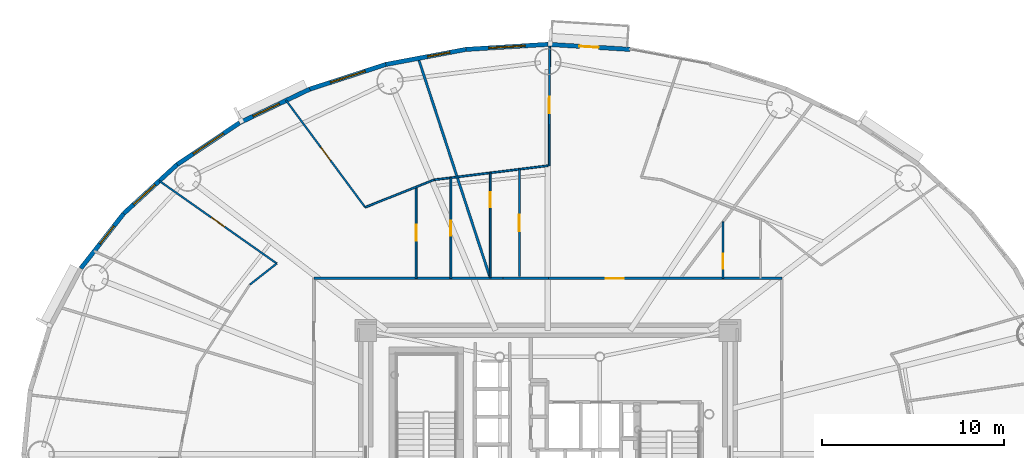
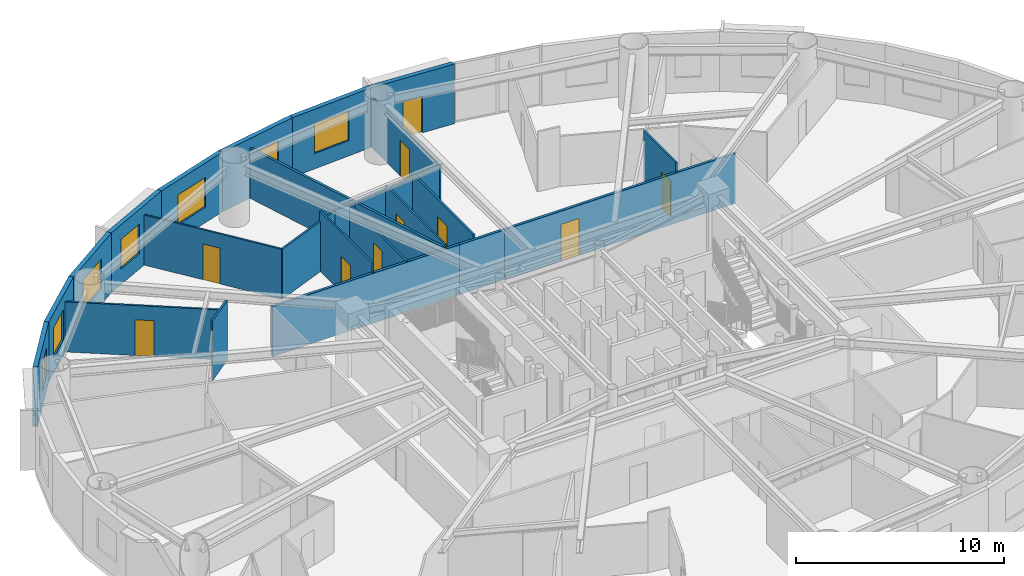
# One storey, part 10 of 16: 23 walls, 10 doors, 7 windows, 17 openings.
"""IFC4 building model written with IfcOpenShell, lengths in metres."""

from ifc_helpers import new_model, si_unit, direction, frame, frame_2d, origin, origin_2d, place, context, subcontext, project, spatial, rectangle, extrude, source, transform, mapped, material, layer, layer_set, type_object, element, fill, save


model = new_model("IFC4")

# Units and contexts
model_context = context("Model", 3, precision=1e-05, world=origin(), true_north=direction((0.0, 1.0)))
body_context = subcontext(model_context, "Body", "Model", "MODEL_VIEW")
ifc_project = project(units=[si_unit("LENGTHUNIT", "METRE"), si_unit("AREAUNIT", "SQUARE_METRE"), si_unit("VOLUMEUNIT", "CUBIC_METRE"), si_unit("PLANEANGLEUNIT", "RADIAN"), si_unit("MASSUNIT", "GRAM", prefix="KILO")], contexts=[model_context])

# Site, building, storey
site_placement = place(None, origin())
site = spatial("IfcSite", under=ifc_project, at=site_placement, CompositionType="ELEMENT")
building_placement = place(site_placement, origin())
building = spatial("IfcBuilding", under=site, at=building_placement, Name="Linh Dai School and Residence Tower", CompositionType="ELEMENT")
storey_placement = place(building_placement, frame((0.0, 0.0, 108.449951171875)))
storey = spatial("IfcBuildingStorey", under=building, at=storey_placement, Name="L25", CompositionType="ELEMENT", Elevation=108.449951171875)

# Wall, opening, door
ifc_material_1 = material(Name="Precast Concrete B45 (C35/45)", Category="concrete")
ifc_layer_1 = layer(ifc_material_1, 0.239990234375)
ifc_layer_set_1 = layer_set([ifc_layer_1], Name="Precast Concrete B45 (C35/45)")
wall_type_1 = type_object("IfcWallType", Name="EW-TC-240", PredefinedType="SOLIDWALL", material=ifc_layer_set_1)
wall_1_placement = place(storey_placement, frame((36.0, 49.5048828125, 0.0), z_axis=(0.0, 0.0, 1.0), x_axis=(0.998107531589, -0.061492726276, 0.0)))
wall_1 = element("IfcWall", 1, at=wall_1_placement, inside=storey, type_object=wall_type_1, Name="L25 Terracotta Exterior Wall 10", PredefinedType="SOLIDWALL", context=body_context, shape_type="SweptSolid", body=[
    extrude(rectangle(XDim=4.51416015625, YDim=0.239990234375, at=frame_2d((2.257080078125, 0.0))), origin(), (0.0, 0.0, 1.0), 3.5),
])
opening_1_placement = place(wall_1_placement, frame((1.732177734375, 0.0, 0.0)))
opening_1 = element("IfcOpeningElement", 2, at=opening_1_placement, cuts=wall_1, Name="Opening BD1", PredefinedType="OPENING", context=body_context, shape_type="SweptSolid", body=[
    extrude(rectangle(XDim=1.050048828125, YDim=2.14990234375, at=origin_2d()), frame((0.52490234375, 0.1298828125, 1.074951171875), z_axis=(0.0, -1.0, 0.0), x_axis=(1.0, 0.0, 0.0)), (0.0, 0.0, 1.0), 0.260009765625),
])
ifc_material_2 = material(Name="Double-Glazed Balcony Door", Category="glass")
door_type_1 = type_object("IfcDoorType", Name="DR-BALC-1050x2150", OperationType="NOTDEFINED", PredefinedType="DOOR", material=ifc_material_2)
shared_shape_1 = source(origin(), body_context, "Body", "SweptSolid", [
    extrude(rectangle(XDim=1.050048828125, YDim=2.14990234375, at=origin_2d()), frame((0.52490234375, 0.02490234375, 1.074951171875), z_axis=(0.0, -1.0, 0.0), x_axis=(1.0, 0.0, 0.0)), (0.0, 0.0, 1.0), 0.050048828125),
])
door_1_placement = place(opening_1_placement, origin())
door_1 = element("IfcDoor", 3, at=door_1_placement, inside=storey, type_object=door_type_1, Name="L25 Glazed Balcony Door 10", OperationType="SINGLE_SWING_RIGHT", OverallHeight=2.14990234375, OverallWidth=1.050048828125, PredefinedType="DOOR", context=body_context, shape_type="MappedRepresentation", body=[
    mapped(shared_shape_1, transform((0.0, 0.0, 0.0), x_axis=(1.0, 0.0, 0.0), y_axis=(0.0, 1.0, 0.0), z_axis=(0.0, 0.0, 1.0), scale=1.0)),
])
fill(opening_1, door_1)

# Wall, opening, window
wall_2_placement = place(storey_placement, frame((31.494384765625, 49.227294921875, 0.0), z_axis=(0.0, 0.0, 1.0), x_axis=(0.998107531589, 0.061492726276, 0.0)))
wall_2 = element("IfcWall", 4, at=wall_2_placement, inside=storey, type_object=wall_type_1, Name="L25 Terracotta Exterior Wall 11", PredefinedType="SOLIDWALL", context=body_context, shape_type="SweptSolid", body=[
    extrude(rectangle(XDim=4.51416015625, YDim=0.239990234375, at=frame_2d((2.257080078125, 0.0))), origin(), (0.0, 0.0, 1.0), 3.5),
])
opening_2_placement = place(wall_2_placement, frame((1.257080078125, 0.0, 0.89990234375)))
opening_2 = element("IfcOpeningElement", 5, at=opening_2_placement, cuts=wall_2, Name="Opening W1", PredefinedType="OPENING", context=body_context, shape_type="SweptSolid", body=[
    extrude(rectangle(XDim=2.0, YDim=1.75, at=origin_2d()), frame((1.0, 0.1298828125, 0.875), z_axis=(0.0, -1.0, 0.0), x_axis=(1.0, 0.0, 0.0)), (0.0, 0.0, 1.0), 0.260009765625),
])
ifc_material_3 = material(Name="Double Low-E Insulated Glazing", Category="glass")
window_type_1 = type_object("IfcWindowType", Name="WN-RES-2000x1750", PartitioningType="DOUBLE_PANEL_VERTICAL", PredefinedType="WINDOW", material=ifc_material_3)
shared_shape_2 = source(origin(), body_context, "Body", "SweptSolid", [
    extrude(rectangle(XDim=2.0, YDim=1.75, at=origin_2d()), frame((1.0, 0.030029296875, 0.875), z_axis=(0.0, -1.0, 0.0), x_axis=(1.0, 0.0, 0.0)), (0.0, 0.0, 1.0), 0.06005859375),
])
window_1_placement = place(opening_2_placement, origin())
window_1 = element("IfcWindow", 6, at=window_1_placement, inside=storey, type_object=window_type_1, Name="L25 Exterior Window 11.1", OverallHeight=1.75, OverallWidth=2.0, PartitioningType="DOUBLE_PANEL_VERTICAL", PredefinedType="WINDOW", context=body_context, shape_type="MappedRepresentation", body=[
    mapped(shared_shape_2, transform((0.0, 0.0, 0.0), x_axis=(1.0, 0.0, 0.0), y_axis=(0.0, 1.0, 0.0), z_axis=(0.0, 0.0, 1.0), scale=1.0)),
])
fill(opening_2, window_1)

wall_3_placement = place(storey_placement, frame((27.100341796875, 48.4013671875, 0.0), z_axis=(0.0, 0.0, 1.0), x_axis=(0.982789252177, 0.184730305596, 0.0)))
wall_3 = element("IfcWall", 7, at=wall_3_placement, inside=storey, type_object=wall_type_1, Name="L25 Terracotta Exterior Wall 12", PredefinedType="SOLIDWALL", context=body_context, shape_type="SweptSolid", body=[
    extrude(rectangle(XDim=4.470947265625, YDim=0.239990234375, at=frame_2d((2.2353515625, 0.0))), origin(), (0.0, 0.0, 1.0), 3.5),
])
opening_3_placement = place(wall_3_placement, frame((2.332763671875, 0.0, 0.89990234375)))
opening_3 = element("IfcOpeningElement", 8, at=opening_3_placement, cuts=wall_3, Name="Opening W3", PredefinedType="OPENING", context=body_context, shape_type="SweptSolid", body=[
    extrude(rectangle(XDim=1.25, YDim=1.64990234375, at=origin_2d()), frame((0.625, 0.1298828125, 0.824951171875), z_axis=(0.0, -1.0, 0.0), x_axis=(1.0, 0.0, 0.0)), (0.0, 0.0, 1.0), 0.260009765625),
])
window_type_2 = type_object("IfcWindowType", Name="WN-RES-1250x1650", PartitioningType="SINGLE_PANEL", PredefinedType="WINDOW", material=ifc_material_3)
shared_shape_3 = source(origin(), body_context, "Body", "SweptSolid", [
    extrude(rectangle(XDim=1.25, YDim=1.64990234375, at=origin_2d()), frame((0.625, 0.030029296875, 0.824951171875), z_axis=(0.0, -1.0, 0.0), x_axis=(1.0, 0.0, 0.0)), (0.0, 0.0, 1.0), 0.06005859375),
])
window_2_placement = place(opening_3_placement, origin())
window_2 = element("IfcWindow", 9, at=window_2_placement, inside=storey, type_object=window_type_2, Name="L25 Exterior Window 12.1", OverallHeight=1.64990234375, OverallWidth=1.25, PartitioningType="SINGLE_PANEL", PredefinedType="WINDOW", context=body_context, shape_type="MappedRepresentation", body=[
    mapped(shared_shape_3, transform((0.0, 0.0, 0.0), x_axis=(1.0, 0.0, 0.0), y_axis=(0.0, 1.0, 0.0), z_axis=(0.0, 0.0, 1.0), scale=1.0)),
])
fill(opening_3, window_2)

wall_4_placement = place(storey_placement, frame((22.926025390625, 47.04736328125, 0.0), z_axis=(0.0, 0.0, 1.0), x_axis=(0.951211346073, 0.308540070495, 0.0)))
wall_4 = element("IfcWall", 10, at=wall_4_placement, inside=storey, type_object=wall_type_1, Name="L25 Terracotta Exterior Wall 13", PredefinedType="SOLIDWALL", context=body_context, shape_type="SweptSolid", body=[
    extrude(rectangle(XDim=4.388427734375, YDim=0.239990234375, at=frame_2d((2.1943359375, 0.0))), origin(), (0.0, 0.0, 1.0), 3.5),
])
opening_4_placement = place(wall_4_placement, frame((1.1943359375, 0.0, 0.89990234375)))
opening_4 = element("IfcOpeningElement", 11, at=opening_4_placement, cuts=wall_4, Name="Opening W1", PredefinedType="OPENING", context=body_context, shape_type="SweptSolid", body=[
    extrude(rectangle(XDim=2.0, YDim=1.75, at=origin_2d()), frame((1.0, 0.1298828125, 0.875), z_axis=(0.0, -1.0, 0.0), x_axis=(1.0, 0.0, 0.0)), (0.0, 0.0, 1.0), 0.260009765625),
])
window_3_placement = place(opening_4_placement, origin())
window_3 = element("IfcWindow", 12, at=window_3_placement, inside=storey, type_object=window_type_1, Name="L25 Exterior Window 13.1", OverallHeight=1.75, OverallWidth=2.0, PartitioningType="DOUBLE_PANEL_VERTICAL", PredefinedType="WINDOW", context=body_context, shape_type="MappedRepresentation", body=[
    mapped(shared_shape_2, transform((0.0, 0.0, 0.0), x_axis=(1.0, 0.0, 0.0), y_axis=(0.0, 1.0, 0.0), z_axis=(0.0, 0.0, 1.0), scale=1.0)),
])
fill(opening_4, window_3)

wall_5_placement = place(storey_placement, frame((19.07470703125, 45.199462890625, 0.0), z_axis=(0.0, 0.0, 1.0), x_axis=(0.901589935876, 0.432591709962, 0.0)))
wall_5 = element("IfcWall", 13, at=wall_5_placement, inside=storey, type_object=wall_type_1, Name="L25 Terracotta Exterior Wall 14", PredefinedType="SOLIDWALL", context=body_context, shape_type="SweptSolid", body=[
    extrude(rectangle(XDim=4.271728515625, YDim=0.239990234375, at=frame_2d((2.1357421875, 0.0))), origin(), (0.0, 0.0, 1.0), 3.5),
])
opening_5_placement = place(wall_5_placement, frame((0.82177734375, 0.0, 0.89990234375)))
opening_5 = element("IfcOpeningElement", 14, at=opening_5_placement, cuts=wall_5, Name="Opening W2", PredefinedType="OPENING", context=body_context, shape_type="SweptSolid", body=[
    extrude(rectangle(XDim=1.60009765625, YDim=1.75, at=origin_2d()), frame((0.800048828125, 0.1298828125, 0.875), z_axis=(0.0, -1.0, 0.0), x_axis=(1.0, 0.0, 0.0)), (0.0, 0.0, 1.0), 0.260009765625),
])
window_type_3 = type_object("IfcWindowType", Name="WN-RES-1600x1750", PartitioningType="DOUBLE_PANEL_VERTICAL", PredefinedType="WINDOW", material=ifc_material_3)
shared_shape_4 = source(origin(), body_context, "Body", "SweptSolid", [
    extrude(rectangle(XDim=1.60009765625, YDim=1.75, at=origin_2d()), frame((0.800048828125, 0.030029296875, 0.875), z_axis=(0.0, -1.0, 0.0), x_axis=(1.0, 0.0, 0.0)), (0.0, 0.0, 1.0), 0.06005859375),
])
window_4_placement = place(opening_5_placement, origin())
window_4 = element("IfcWindow", 15, at=window_4_placement, inside=storey, type_object=window_type_3, Name="L25 Exterior Window 14.1", OverallHeight=1.75, OverallWidth=1.60009765625, PartitioningType="DOUBLE_PANEL_VERTICAL", PredefinedType="WINDOW", context=body_context, shape_type="MappedRepresentation", body=[
    mapped(shared_shape_4, transform((0.0, 0.0, 0.0), x_axis=(1.0, 0.0, 0.0), y_axis=(0.0, 1.0, 0.0), z_axis=(0.0, 0.0, 1.0), scale=1.0)),
])
fill(opening_5, window_4)

wall_6_placement = place(storey_placement, frame((15.6416015625, 42.9033203125, 0.0), z_axis=(0.0, 0.0, 1.0), x_axis=(0.831221811447, 0.555940914284, 0.0)))
wall_6 = element("IfcWall", 16, at=wall_6_placement, inside=storey, type_object=wall_type_1, Name="L25 Terracotta Exterior Wall 15", PredefinedType="SOLIDWALL", context=body_context, shape_type="SweptSolid", body=[
    extrude(rectangle(XDim=4.130126953125, YDim=0.239990234375, at=frame_2d((2.06494140625, 0.0))), origin(), (0.0, 0.0, 1.0), 3.5),
])
opening_6_placement = place(wall_6_placement, frame((1.065185546875, 0.0, 0.89990234375)))
opening_6 = element("IfcOpeningElement", 17, at=opening_6_placement, cuts=wall_6, Name="Opening W1", PredefinedType="OPENING", context=body_context, shape_type="SweptSolid", body=[
    extrude(rectangle(XDim=2.0, YDim=1.75, at=origin_2d()), frame((1.0, 0.1298828125, 0.875), z_axis=(0.0, -1.0, 0.0), x_axis=(1.0, 0.0, 0.0)), (0.0, 0.0, 1.0), 0.260009765625),
])
window_5_placement = place(opening_6_placement, origin())
window_5 = element("IfcWindow", 18, at=window_5_placement, inside=storey, type_object=window_type_1, Name="L25 Exterior Window 15.1", OverallHeight=1.75, OverallWidth=2.0, PartitioningType="DOUBLE_PANEL_VERTICAL", PredefinedType="WINDOW", context=body_context, shape_type="MappedRepresentation", body=[
    mapped(shared_shape_2, transform((0.0, 0.0, 0.0), x_axis=(1.0, 0.0, 0.0), y_axis=(0.0, 1.0, 0.0), z_axis=(0.0, 0.0, 1.0), scale=1.0)),
])
fill(opening_6, window_5)

wall_7_placement = place(storey_placement, frame((12.7109375, 40.216552734375, 0.0), z_axis=(0.0, 0.0, 1.0), x_axis=(0.737113356241, 0.675769117414, 0.0)))
wall_7 = element("IfcWall", 19, at=wall_7_placement, inside=storey, type_object=wall_type_1, Name="L25 Terracotta Exterior Wall 16", PredefinedType="SOLIDWALL", context=body_context, shape_type="SweptSolid", body=[
    extrude(rectangle(XDim=3.975830078125, YDim=0.239990234375, at=frame_2d((1.98779296875, 0.0))), origin(), (0.0, 0.0, 1.0), 3.5),
])
opening_7_placement = place(wall_7_placement, frame((0.734375, 0.0, 0.89990234375)))
opening_7 = element("IfcOpeningElement", 20, at=opening_7_placement, cuts=wall_7, Name="Opening W2", PredefinedType="OPENING", context=body_context, shape_type="SweptSolid", body=[
    extrude(rectangle(XDim=1.60009765625, YDim=1.75, at=origin_2d()), frame((0.800048828125, 0.1298828125, 0.875), z_axis=(0.0, -1.0, 0.0), x_axis=(1.0, 0.0, 0.0)), (0.0, 0.0, 1.0), 0.260009765625),
])
window_6_placement = place(opening_7_placement, origin())
window_6 = element("IfcWindow", 21, at=window_6_placement, inside=storey, type_object=window_type_3, Name="L25 Exterior Window 16.1", OverallHeight=1.75, OverallWidth=1.60009765625, PartitioningType="DOUBLE_PANEL_VERTICAL", PredefinedType="WINDOW", context=body_context, shape_type="MappedRepresentation", body=[
    mapped(shared_shape_4, transform((0.0, 0.0, 0.0), x_axis=(1.0, 0.0, 0.0), y_axis=(0.0, 1.0, 0.0), z_axis=(0.0, 0.0, 1.0), scale=1.0)),
])
fill(opening_7, window_6)

wall_8_placement = place(storey_placement, frame((10.354736328125, 37.20556640625, 0.0), z_axis=(0.0, 0.0, 1.0), x_axis=(0.616272103517, 0.787533297345, 0.0)))
wall_8 = element("IfcWall", 22, at=wall_8_placement, inside=storey, type_object=wall_type_1, Name="L25 Terracotta Exterior Wall 17", PredefinedType="SOLIDWALL", context=body_context, shape_type="SweptSolid", body=[
    extrude(rectangle(XDim=3.8232421875, YDim=0.239990234375, at=frame_2d((1.91162109375, 0.0))), origin(), (0.0, 0.0, 1.0), 3.5),
])
opening_8_placement = place(wall_8_placement, frame((1.704833984375, 0.0, 0.89990234375)))
opening_8 = element("IfcOpeningElement", 23, at=opening_8_placement, cuts=wall_8, Name="Opening W3", PredefinedType="OPENING", context=body_context, shape_type="SweptSolid", body=[
    extrude(rectangle(XDim=1.25, YDim=1.64990234375, at=origin_2d()), frame((0.625, 0.1298828125, 0.824951171875), z_axis=(0.0, -1.0, 0.0), x_axis=(1.0, 0.0, 0.0)), (0.0, 0.0, 1.0), 0.260009765625),
])
window_7_placement = place(opening_8_placement, origin())
window_7 = element("IfcWindow", 24, at=window_7_placement, inside=storey, type_object=window_type_2, Name="L25 Exterior Window 17.1", OverallHeight=1.64990234375, OverallWidth=1.25, PartitioningType="SINGLE_PANEL", PredefinedType="WINDOW", context=body_context, shape_type="MappedRepresentation", body=[
    mapped(shared_shape_3, transform((0.0, 0.0, 0.0), x_axis=(1.0, 0.0, 0.0), y_axis=(0.0, 1.0, 0.0), z_axis=(0.0, 0.0, 1.0), scale=1.0)),
])
fill(opening_8, window_7)

# Walls
ifc_material_4 = material(Name="Autoclaved Aerated Concrete Blockwork", Category="masonry")
ifc_layer_2 = layer(ifc_material_4, 0.135009765625)
ifc_layer_set_2 = layer_set([ifc_layer_2], Name="Autoclaved Aerated Concrete Blockwork")
wall_type_2 = type_object("IfcWallType", Name="IW-CORR-135-EI90", PredefinedType="PARTITIONING", material=ifc_layer_set_2)
wall_9_placement = place(storey_placement, frame((23.14990234375, 36.64990234375, 0.0), z_axis=(0.0, 0.0, 1.0), x_axis=(1.0, 0.0, 0.0)))
element("IfcWall", 25, at=wall_9_placement, inside=storey, type_object=wall_type_2, Name="L25 Interior Partition Wall 022", PredefinedType="PARTITIONING", context=body_context, shape_type="SweptSolid", body=[
    extrude(rectangle(XDim=10.373046875, YDim=0.135009765625, at=frame_2d((5.1865234375, 0.0))), origin(), (0.0, 0.0, 1.0), 2.93505859375),
])
wall_10_placement = place(storey_placement, frame((28.88330078125, 48.741455078125, 0.0), z_axis=(0.0, 0.0, 1.0), x_axis=(0.311090320612, -0.95038035145, 0.0)))
element("IfcWall", 26, at=wall_10_placement, inside=storey, type_object=wall_type_2, Name="L25 Interior Partition Wall 028", PredefinedType="PARTITIONING", context=body_context, shape_type="SweptSolid", body=[
    extrude(rectangle(XDim=12.671142578125, YDim=0.135009765625, at=frame_2d((6.33544921875, 0.0))), origin(), (0.0, 0.0, 1.0), 2.93505859375),
])

# Wall, opening, door
wall_11_placement = place(storey_placement, frame((36.0419921875, 36.64990234375, 0.0), z_axis=(0.0, 0.0, 1.0), x_axis=(1.0, 0.0, 0.0)))
wall_11 = element("IfcWall", 27, at=wall_11_placement, inside=storey, type_object=wall_type_2, Name="L25 Interior Partition Wall 056", PredefinedType="PARTITIONING", context=body_context, shape_type="SweptSolid", body=[
    extrude(rectangle(XDim=12.80810546875, YDim=0.135009765625, at=frame_2d((6.404052734375, 0.0))), origin(), (0.0, 0.0, 1.0), 2.93505859375),
])
opening_9_placement = place(wall_11_placement, frame((3.134765625, 0.0, 0.0)))
opening_9 = element("IfcOpeningElement", 28, at=opening_9_placement, cuts=wall_11, Name="Opening D03", PredefinedType="OPENING", context=body_context, shape_type="SweptSolid", body=[
    extrude(rectangle(XDim=1.0, YDim=2.14990234375, at=origin_2d()), frame((0.5, 0.07763671875, 1.074951171875), z_axis=(0.0, -1.0, 0.0), x_axis=(1.0, 0.0, 0.0)), (0.0, 0.0, 1.0), 0.155029296875),
])
ifc_material_5 = material(Name="Fire-Rated Solid Timber Entrance Door", Category="wood")
door_type_2 = type_object("IfcDoorType", Name="DR-FLAT-1000x2150-FD60S", OperationType="NOTDEFINED", PredefinedType="DOOR", material=ifc_material_5)
shared_shape_5 = source(origin(), body_context, "Body", "SweptSolid", [
    extrude(rectangle(XDim=1.0, YDim=2.14990234375, at=origin_2d()), frame((0.5, 0.02490234375, 1.074951171875), z_axis=(0.0, -1.0, 0.0), x_axis=(1.0, 0.0, 0.0)), (0.0, 0.0, 1.0), 0.050048828125),
])
door_2_placement = place(opening_9_placement, origin())
door_2 = element("IfcDoor", 29, at=door_2_placement, inside=storey, type_object=door_type_2, Name="L25 U2501 Apartment Entrance Door", OperationType="SINGLE_SWING_LEFT", OverallHeight=2.14990234375, OverallWidth=1.0, PredefinedType="DOOR", context=body_context, shape_type="MappedRepresentation", body=[
    mapped(shared_shape_5, transform((0.0, 0.0, 0.0), x_axis=(1.0, 0.0, 0.0), y_axis=(0.0, 1.0, 0.0), z_axis=(0.0, 0.0, 1.0), scale=1.0)),
])
fill(opening_9, door_2)

# Wall
wall_12_placement = place(storey_placement, frame((33.532958984375, 36.64990234375, 0.0), z_axis=(0.0, 0.0, 1.0), x_axis=(1.0, 0.0, 0.0)))
element("IfcWall", 30, at=wall_12_placement, inside=storey, type_object=wall_type_2, Name="L25 Interior Partition Wall 109", PredefinedType="PARTITIONING", context=body_context, shape_type="SweptSolid", body=[
    extrude(rectangle(XDim=2.499267578125, YDim=0.135009765625, at=frame_2d((1.24951171875, 0.0))), origin(), (0.0, 0.0, 1.0), 2.93505859375),
])

# Wall, opening, door
ifc_material_6 = material(Name="Gypsum Plasterboard Acoustic Stud Partition", Category="masonry")
ifc_layer_3 = layer(ifc_material_6, 0.10009765625)
ifc_layer_set_3 = layer_set([ifc_layer_3], Name="Gypsum Plasterboard Acoustic Stud Partition")
wall_type_3 = type_object("IfcWallType", Name="IW-UNIT-100", PredefinedType="PARTITIONING", material=ifc_layer_set_3)
wall_13_placement = place(storey_placement, frame((14.6611328125, 42.01123046875, 0.0), z_axis=(0.0, 0.0, 1.0), x_axis=(0.817899711196, -0.575360810645, 0.0)))
wall_13 = element("IfcWall", 31, at=wall_13_placement, inside=storey, type_object=wall_type_3, Name="L25 Interior Partition Wall 009", PredefinedType="PARTITIONING", context=body_context, shape_type="SweptSolid", body=[
    extrude(rectangle(XDim=7.890869140625, YDim=0.10009765625, at=frame_2d((3.9453125, 0.0))), origin(), (0.0, 0.0, 1.0), 2.93505859375),
])
opening_10_placement = place(wall_13_placement, frame((3.495361328125, 0.0, 0.0)))
opening_10 = element("IfcOpeningElement", 32, at=opening_10_placement, cuts=wall_13, Name="Opening D05", PredefinedType="OPENING", context=body_context, shape_type="SweptSolid", body=[
    extrude(rectangle(XDim=0.89990234375, YDim=2.10009765625, at=origin_2d()), frame((0.449951171875, 0.06005859375, 1.050048828125), z_axis=(0.0, -1.0, 0.0), x_axis=(1.0, 0.0, 0.0)), (0.0, 0.0, 1.0), 0.1201171875),
])
ifc_material_7 = material(Name="Engineered Timber Internal Door", Category="wood")
door_type_3 = type_object("IfcDoorType", Name="DR-INT-900x2100", OperationType="NOTDEFINED", PredefinedType="DOOR", material=ifc_material_7)
shared_shape_6 = source(origin(), body_context, "Body", "SweptSolid", [
    extrude(rectangle(XDim=0.89990234375, YDim=2.10009765625, at=origin_2d()), frame((0.449951171875, 0.02490234375, 1.050048828125), z_axis=(0.0, -1.0, 0.0), x_axis=(1.0, 0.0, 0.0)), (0.0, 0.0, 1.0), 0.050048828125),
])
door_3_placement = place(opening_10_placement, origin())
door_3 = element("IfcDoor", 33, at=door_3_placement, inside=storey, type_object=door_type_3, Name="L25 Apartment U2502 Principal Bedroom 2 Door", OperationType="SINGLE_SWING_RIGHT", OverallHeight=2.10009765625, OverallWidth=0.89990234375, PredefinedType="DOOR", context=body_context, shape_type="MappedRepresentation", body=[
    mapped(shared_shape_6, transform((0.0, 0.0, 0.0), x_axis=(1.0, 0.0, 0.0), y_axis=(0.0, 1.0, 0.0), z_axis=(0.0, 0.0, 1.0), scale=1.0)),
])
fill(opening_10, door_3)

# Wall
wall_14_placement = place(storey_placement, frame((19.633544921875, 36.31103515625, 0.0), z_axis=(0.0, 0.0, 1.0), x_axis=(0.787307829703, 0.616560119768, 0.0)))
element("IfcWall", 34, at=wall_14_placement, inside=storey, type_object=wall_type_3, Name="L25 Interior Partition Wall 016", PredefinedType="PARTITIONING", context=body_context, shape_type="SweptSolid", body=[
    extrude(rectangle(XDim=1.881591796875, YDim=0.10009765625, at=frame_2d((0.94091796875, 0.0))), origin(), (0.0, 0.0, 1.0), 3.5),
])

# Wall, opening, door
wall_15_placement = place(storey_placement, frame((21.6240234375, 46.42822265625, 0.0), z_axis=(0.0, 0.0, 1.0), x_axis=(0.594804555611, -0.803870350631, 0.0)))
wall_15 = element("IfcWall", 35, at=wall_15_placement, inside=storey, type_object=wall_type_3, Name="L25 Interior Partition Wall 019", PredefinedType="PARTITIONING", context=body_context, shape_type="SweptSolid", body=[
    extrude(rectangle(XDim=7.30322265625, YDim=0.10009765625, at=frame_2d((3.651611328125, 0.0))), origin(), (0.0, 0.0, 1.0), 2.93505859375),
])
opening_11_placement = place(wall_15_placement, frame((3.20166015625, 0.0, 0.0)))
opening_11 = element("IfcOpeningElement", 36, at=opening_11_placement, cuts=wall_15, Name="Opening D05", PredefinedType="OPENING", context=body_context, shape_type="SweptSolid", body=[
    extrude(rectangle(XDim=0.89990234375, YDim=2.10009765625, at=origin_2d()), frame((0.449951171875, 0.06005859375, 1.050048828125), z_axis=(0.0, -1.0, 0.0), x_axis=(1.0, 0.0, 0.0)), (0.0, 0.0, 1.0), 0.1201171875),
])
door_4_placement = place(opening_11_placement, origin())
door_4 = element("IfcDoor", 37, at=door_4_placement, inside=storey, type_object=door_type_3, Name="L25 Apartment U2502 Principal Bedroom 1 Door", OperationType="SINGLE_SWING_LEFT", OverallHeight=2.10009765625, OverallWidth=0.89990234375, PredefinedType="DOOR", context=body_context, shape_type="MappedRepresentation", body=[
    mapped(shared_shape_6, transform((0.0, 0.0, 0.0), x_axis=(1.0, 0.0, 0.0), y_axis=(0.0, 1.0, 0.0), z_axis=(0.0, 0.0, 1.0), scale=1.0)),
])
fill(opening_11, door_4)

# Wall
wall_16_placement = place(storey_placement, frame((25.968017578125, 40.557373046875, 0.0), z_axis=(0.0, 0.0, 1.0), x_axis=(0.928807252466, 0.37056320347, 0.0)))
element("IfcWall", 38, at=wall_16_placement, inside=storey, type_object=wall_type_3, Name="L25 Interior Partition Wall 024", PredefinedType="PARTITIONING", context=body_context, shape_type="SweptSolid", body=[
    extrude(rectangle(XDim=4.0703125, YDim=0.10009765625, at=frame_2d((2.03515625, 0.0))), origin(), (0.0, 0.0, 1.0), 2.93505859375),
])

# Wall, opening, door
wall_17_placement = place(storey_placement, frame((28.76416015625, 36.64990234375, 0.0), z_axis=(0.0, 0.0, 1.0), x_axis=(0.0, 1.0, 0.0)))
wall_17 = element("IfcWall", 39, at=wall_17_placement, inside=storey, type_object=wall_type_3, Name="L25 Interior Partition Wall 027", PredefinedType="PARTITIONING", context=body_context, shape_type="SweptSolid", body=[
    extrude(rectangle(XDim=5.02294921875, YDim=0.10009765625, at=frame_2d((2.511474609375, 0.0))), origin(), (0.0, 0.0, 1.0), 3.5),
])
opening_12_placement = place(wall_17_placement, frame((2.0615234375, 0.0, 0.0)))
opening_12 = element("IfcOpeningElement", 40, at=opening_12_placement, cuts=wall_17, Name="Opening D05", PredefinedType="OPENING", context=body_context, shape_type="SweptSolid", body=[
    extrude(rectangle(XDim=0.89990234375, YDim=2.10009765625, at=origin_2d()), frame((0.449951171875, 0.06005859375, 1.050048828125), z_axis=(0.0, -1.0, 0.0), x_axis=(1.0, 0.0, 0.0)), (0.0, 0.0, 1.0), 0.1201171875),
])
door_5_placement = place(opening_12_placement, origin())
door_5 = element("IfcDoor", 41, at=door_5_placement, inside=storey, type_object=door_type_3, Name="L25 Apartment U2502 Kitchen Door", OperationType="SINGLE_SWING_RIGHT", OverallHeight=2.10009765625, OverallWidth=0.89990234375, PredefinedType="DOOR", context=body_context, shape_type="MappedRepresentation", body=[
    mapped(shared_shape_6, transform((0.0, 0.0, 0.0), x_axis=(1.0, 0.0, 0.0), y_axis=(0.0, 1.0, 0.0), z_axis=(0.0, 0.0, 1.0), scale=1.0)),
])
fill(opening_12, door_5)

# Wall
wall_18_placement = place(storey_placement, frame((29.74853515625, 42.065673828125, 0.0), z_axis=(0.0, 0.0, 1.0), x_axis=(0.992395485088, 0.123090215599, 0.0)))
element("IfcWall", 42, at=wall_18_placement, inside=storey, type_object=wall_type_3, Name="L25 Interior Partition Wall 030", PredefinedType="PARTITIONING", context=body_context, shape_type="SweptSolid", body=[
    extrude(rectangle(XDim=6.29931640625, YDim=0.10009765625, at=frame_2d((3.149658203125, 0.0))), origin(), (0.0, 0.0, 1.0), 2.93505859375),
])

# Wall, opening, door
wall_19_placement = place(storey_placement, frame((30.672607421875, 36.64990234375, 0.0), z_axis=(0.0, 0.0, 1.0), x_axis=(0.0, 1.0, 0.0)))
wall_19 = element("IfcWall", 43, at=wall_19_placement, inside=storey, type_object=wall_type_3, Name="L25 Interior Partition Wall 031", PredefinedType="PARTITIONING", context=body_context, shape_type="SweptSolid", body=[
    extrude(rectangle(XDim=5.5302734375, YDim=0.10009765625, at=frame_2d((2.76513671875, 0.0))), origin(), (0.0, 0.0, 1.0), 2.93505859375),
])
opening_13_placement = place(wall_19_placement, frame((2.35498046875, 0.0, 0.0)))
opening_13 = element("IfcOpeningElement", 44, at=opening_13_placement, cuts=wall_19, Name="Opening D06", PredefinedType="OPENING", context=body_context, shape_type="SweptSolid", body=[
    extrude(rectangle(XDim=0.820068359375, YDim=2.10009765625, at=origin_2d()), frame((0.41015625, 0.06005859375, 1.050048828125), z_axis=(0.0, -1.0, 0.0), x_axis=(1.0, 0.0, 0.0)), (0.0, 0.0, 1.0), 0.1201171875),
])
ifc_material_8 = material(Name="Moisture-Resistant Timber Bathroom Door", Category="wood")
door_type_4 = type_object("IfcDoorType", Name="DR-WET-820x2100", OperationType="NOTDEFINED", PredefinedType="DOOR", material=ifc_material_8)
shared_shape_7 = source(origin(), body_context, "Body", "SweptSolid", [
    extrude(rectangle(XDim=0.820068359375, YDim=2.10009765625, at=origin_2d()), frame((0.41015625, 0.02490234375, 1.050048828125), z_axis=(0.0, -1.0, 0.0), x_axis=(1.0, 0.0, 0.0)), (0.0, 0.0, 1.0), 0.050048828125),
])
door_6_placement = place(opening_13_placement, origin())
door_6 = element("IfcDoor", 45, at=door_6_placement, inside=storey, type_object=door_type_4, Name="L25 Apartment U2502 Bathroom 1 Door", OperationType="SINGLE_SWING_LEFT", OverallHeight=2.10009765625, OverallWidth=0.820068359375, PredefinedType="DOOR", context=body_context, shape_type="MappedRepresentation", body=[
    mapped(shared_shape_7, transform((0.0, 0.0, 0.0), x_axis=(1.0, 0.0, 0.0), y_axis=(0.0, 1.0, 0.0), z_axis=(0.0, 0.0, 1.0), scale=1.0)),
])
fill(opening_13, door_6)

wall_20_placement = place(storey_placement, frame((32.835693359375, 36.70068359375, 0.0), z_axis=(0.0, 0.0, 1.0), x_axis=(0.0, 1.0, 0.0)))
wall_20 = element("IfcWall", 46, at=wall_20_placement, inside=storey, type_object=wall_type_3, Name="L25 Interior Partition Wall 039", PredefinedType="PARTITIONING", context=body_context, shape_type="SweptSolid", body=[
    extrude(rectangle(XDim=5.747802734375, YDim=0.10009765625, at=frame_2d((2.8740234375, 0.0))), origin(), (0.0, 0.0, 1.0), 3.125),
])
opening_14_placement = place(wall_20_placement, frame((3.8701171875, 0.0, 0.0)))
opening_14 = element("IfcOpeningElement", 47, at=opening_14_placement, cuts=wall_20, Name="Opening D06", PredefinedType="OPENING", context=body_context, shape_type="SweptSolid", body=[
    extrude(rectangle(XDim=0.820068359375, YDim=2.10009765625, at=origin_2d()), frame((0.41015625, 0.06005859375, 1.050048828125), z_axis=(0.0, -1.0, 0.0), x_axis=(1.0, 0.0, 0.0)), (0.0, 0.0, 1.0), 0.1201171875),
])
door_7_placement = place(opening_14_placement, origin())
door_7 = element("IfcDoor", 48, at=door_7_placement, inside=storey, type_object=door_type_4, Name="L25 Apartment U2501 Bathroom 1 Door", OperationType="SINGLE_SWING_LEFT", OverallHeight=2.10009765625, OverallWidth=0.820068359375, PredefinedType="DOOR", context=body_context, shape_type="MappedRepresentation", body=[
    mapped(shared_shape_7, transform((0.0, 0.0, 0.0), x_axis=(1.0, 0.0, 0.0), y_axis=(0.0, 1.0, 0.0), z_axis=(0.0, 0.0, 1.0), scale=1.0)),
])
fill(opening_14, door_7)

wall_21_placement = place(storey_placement, frame((34.436279296875, 36.76318359375, 0.0), z_axis=(0.0, 0.0, 1.0), x_axis=(0.0, 1.0, 0.0)))
wall_21 = element("IfcWall", 49, at=wall_21_placement, inside=storey, type_object=wall_type_3, Name="L25 Interior Partition Wall 041", PredefinedType="PARTITIONING", context=body_context, shape_type="SweptSolid", body=[
    extrude(rectangle(XDim=5.8837890625, YDim=0.10009765625, at=frame_2d((2.94189453125, 0.0))), origin(), (0.0, 0.0, 1.0), 3.125),
])
opening_15_placement = place(wall_21_placement, frame((2.491943359375, 0.0, 0.0)))
opening_15 = element("IfcOpeningElement", 50, at=opening_15_placement, cuts=wall_21, Name="Opening D05", PredefinedType="OPENING", context=body_context, shape_type="SweptSolid", body=[
    extrude(rectangle(XDim=0.89990234375, YDim=2.10009765625, at=origin_2d()), frame((0.449951171875, 0.06005859375, 1.050048828125), z_axis=(0.0, -1.0, 0.0), x_axis=(1.0, 0.0, 0.0)), (0.0, 0.0, 1.0), 0.1201171875),
])
door_8_placement = place(opening_15_placement, origin())
door_8 = element("IfcDoor", 51, at=door_8_placement, inside=storey, type_object=door_type_3, Name="L25 Apartment U2501 Kitchen Door", OperationType="SINGLE_SWING_RIGHT", OverallHeight=2.10009765625, OverallWidth=0.89990234375, PredefinedType="DOOR", context=body_context, shape_type="MappedRepresentation", body=[
    mapped(shared_shape_6, transform((0.0, 0.0, 0.0), x_axis=(1.0, 0.0, 0.0), y_axis=(0.0, 1.0, 0.0), z_axis=(0.0, 0.0, 1.0), scale=1.0)),
])
fill(opening_15, door_8)

wall_22_placement = place(storey_placement, frame((36.069091796875, 42.83251953125, 0.0), z_axis=(0.0, 0.0, 1.0), x_axis=(0.004354785612, 0.999990517876, 0.0)))
wall_22 = element("IfcWall", 52, at=wall_22_placement, inside=storey, type_object=wall_type_3, Name="L25 Interior Partition Wall 057", PredefinedType="PARTITIONING", context=body_context, shape_type="SweptSolid", body=[
    extrude(rectangle(XDim=6.67138671875, YDim=0.10009765625, at=frame_2d((3.335693359375, 0.0))), origin(), (0.0, 0.0, 1.0), 2.93505859375),
])
opening_16_placement = place(wall_22_placement, frame((2.8857421875, 0.0, 0.0)))
opening_16 = element("IfcOpeningElement", 53, at=opening_16_placement, cuts=wall_22, Name="Opening D05", PredefinedType="OPENING", context=body_context, shape_type="SweptSolid", body=[
    extrude(rectangle(XDim=0.89990234375, YDim=2.10009765625, at=origin_2d()), frame((0.449951171875, 0.06005859375, 1.050048828125), z_axis=(0.0, -1.0, 0.0), x_axis=(1.0, 0.0, 0.0)), (0.0, 0.0, 1.0), 0.1201171875),
])
door_9_placement = place(opening_16_placement, origin())
door_9 = element("IfcDoor", 54, at=door_9_placement, inside=storey, type_object=door_type_3, Name="L25 Apartment U2501 Principal Bedroom 2 Door", OperationType="SINGLE_SWING_LEFT", OverallHeight=2.10009765625, OverallWidth=0.89990234375, PredefinedType="DOOR", context=body_context, shape_type="MappedRepresentation", body=[
    mapped(shared_shape_6, transform((0.0, 0.0, 0.0), x_axis=(1.0, 0.0, 0.0), y_axis=(0.0, 1.0, 0.0), z_axis=(0.0, 0.0, 1.0), scale=1.0)),
])
fill(opening_16, door_9)

wall_23_placement = place(storey_placement, frame((45.612060546875, 36.64990234375, 0.0), z_axis=(0.0, 0.0, 1.0), x_axis=(0.0, 1.0, 0.0)))
wall_23 = element("IfcWall", 55, at=wall_23_placement, inside=storey, type_object=wall_type_3, Name="L25 Interior Partition Wall 082", PredefinedType="PARTITIONING", context=body_context, shape_type="SweptSolid", body=[
    extrude(rectangle(XDim=3.10595703125, YDim=0.10009765625, at=frame_2d((1.552978515625, 0.0))), origin(), (0.0, 0.0, 1.0), 3.5),
])
opening_17_placement = place(wall_23_placement, frame((0.529296875, 0.0, 0.0)))
opening_17 = element("IfcOpeningElement", 56, at=opening_17_placement, cuts=wall_23, Name="Opening D06", PredefinedType="OPENING", context=body_context, shape_type="SweptSolid", body=[
    extrude(rectangle(XDim=0.820068359375, YDim=2.10009765625, at=origin_2d()), frame((0.41015625, 0.06005859375, 1.050048828125), z_axis=(0.0, -1.0, 0.0), x_axis=(1.0, 0.0, 0.0)), (0.0, 0.0, 1.0), 0.1201171875),
])
door_10_placement = place(opening_17_placement, origin())
door_10 = element("IfcDoor", 57, at=door_10_placement, inside=storey, type_object=door_type_4, Name="L25 Apartment U2506 Bathroom 1 Door", OperationType="SINGLE_SWING_LEFT", OverallHeight=2.10009765625, OverallWidth=0.820068359375, PredefinedType="DOOR", context=body_context, shape_type="MappedRepresentation", body=[
    mapped(shared_shape_7, transform((0.0, 0.0, 0.0), x_axis=(1.0, 0.0, 0.0), y_axis=(0.0, 1.0, 0.0), z_axis=(0.0, 0.0, 1.0), scale=1.0)),
])
fill(opening_17, door_10)

save(model, "model.ifc")
